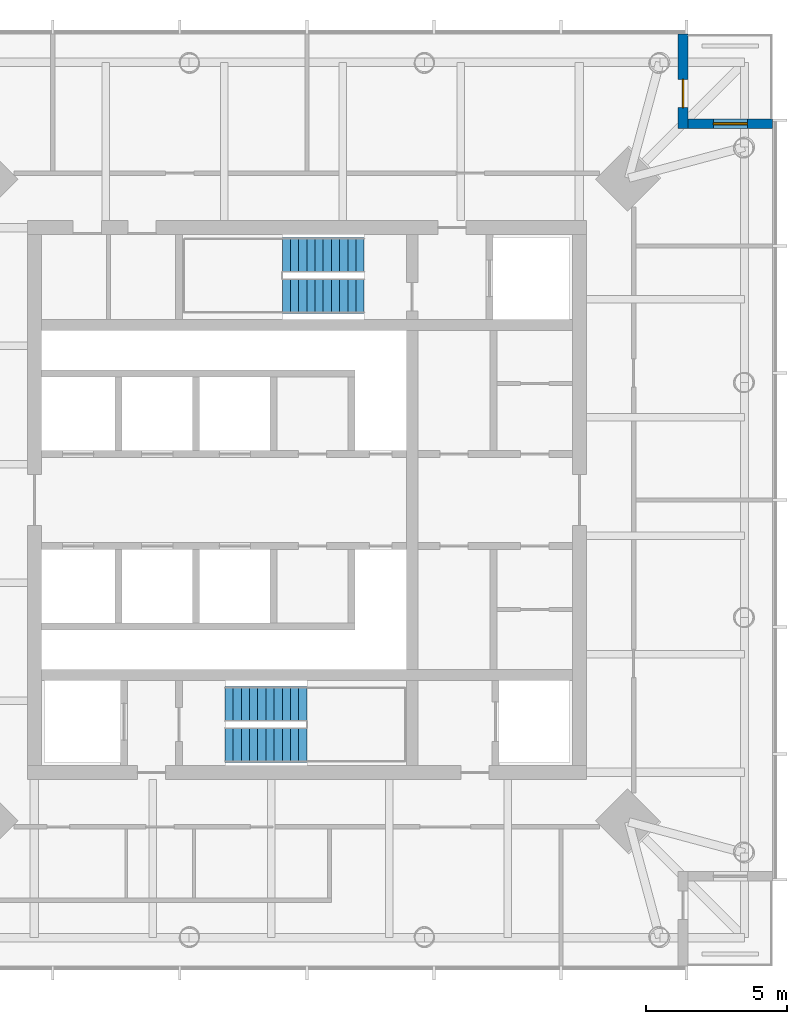
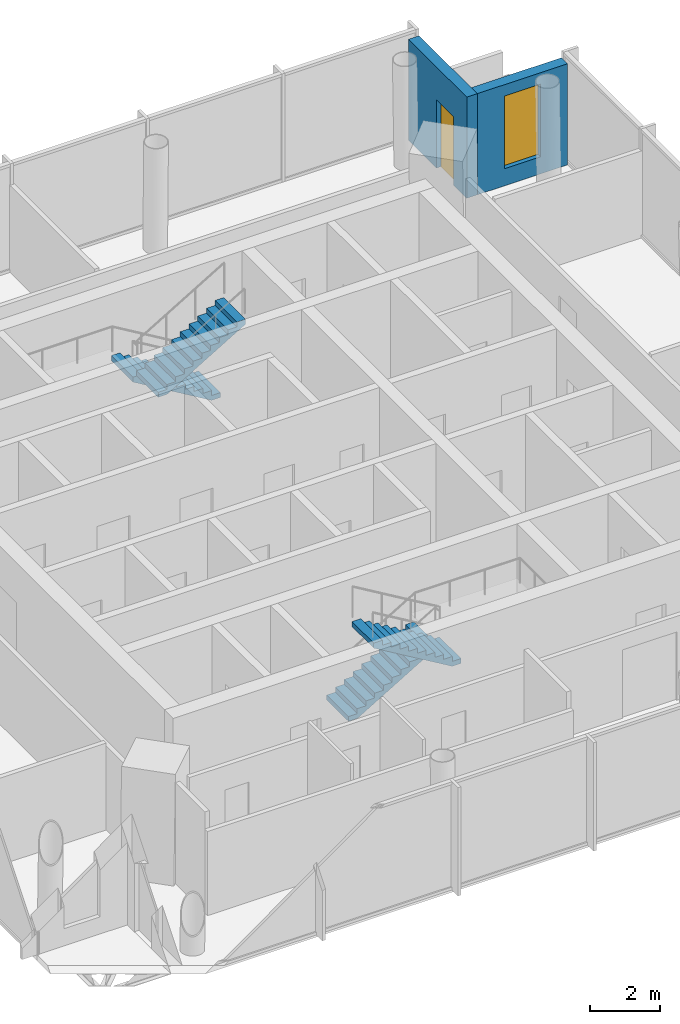
# One storey, part 6 of 7: 4 stair flights, 2 walls, 1 door, 1 window, 2 openings, 2 elements without a shape of their own.
"""IFC4 building model written with IfcOpenShell, lengths in metres."""

from ifc_helpers import new_model, si_unit, direction, frame, frame_2d, origin, place, context, subcontext, project, spatial, polyline, rectangle, outline, extrude, material, layer, layer_set, type_object, element, fill, aggregate, save


model = new_model("IFC4")

# Units and contexts
model_context = context("Model", 3, precision=1e-05, world=origin(), true_north=direction((0.0, 1.0)))
body_context = subcontext(model_context, "Body", "Model", "MODEL_VIEW")
ifc_project = project(units=[si_unit("LENGTHUNIT", "METRE"), si_unit("AREAUNIT", "SQUARE_METRE"), si_unit("VOLUMEUNIT", "CUBIC_METRE"), si_unit("PLANEANGLEUNIT", "RADIAN"), si_unit("MASSUNIT", "GRAM", prefix="KILO")], contexts=[model_context])

# Site, building, storey
site_placement = place(None, origin())
site = spatial("IfcSite", under=ifc_project, at=site_placement, CompositionType="ELEMENT")
building_placement = place(site_placement, origin())
building = spatial("IfcBuilding", under=site, at=building_placement, Name="Ostroluk Exchange", CompositionType="ELEMENT")
storey_placement = place(building_placement, frame((0.0, 0.0, 287.0)))
storey = spatial("IfcBuildingStorey", under=building, at=storey_placement, Name="L74", CompositionType="ELEMENT", Elevation=287.0)

# Wall, opening, door
ifc_material_1 = material(Name="Limestone", Category="masonry")
ifc_layer = layer(ifc_material_1, 0.35009765625)
ifc_layer_set = layer_set([ifc_layer], Name="Limestone facade wall 350")
wall_type = type_object("IfcWallType", Name="Limestone facade wall 350", PredefinedType="SOLIDWALL", material=ifc_layer_set)
wall_1_placement = place(storey_placement, frame((58.324951171875, 62.5, 0.0), z_axis=(0.0, 0.0, 1.0), x_axis=(0.0, -1.0, 0.0)))
wall_1 = element("IfcWall", 1, at=wall_1_placement, inside=storey, type_object=wall_type, Name="Office tower NE corner wall L74 a", PredefinedType="SOLIDWALL", context=body_context, shape_type="SweptSolid", body=[
    extrude(rectangle(XDim=3.35009765625, YDim=0.35009765625, at=frame_2d((1.675048828125, 0.0))), origin(), (0.0, 0.0, 1.0), 3.550048828125),
])
opening_1_placement = place(wall_1_placement, frame((1.60009765625, 0.0, 0.0)))
opening_1 = element("IfcOpeningElement", 2, at=opening_1_placement, cuts=wall_1, Name="Opening D-B1", PredefinedType="OPENING", context=body_context, shape_type="SweptSolid", body=[
    extrude(rectangle(XDim=1.0, YDim=2.39990234375, at=frame_2d((0.5, 1.199951171875))), frame((0.0, 0.18505859375, 0.0), z_axis=(0.0, -1.0, 0.0), x_axis=(1.0, 0.0, 0.0)), (0.0, 0.0, 1.0), 0.3701171875),
])
ifc_material_2 = material(Name="Bronze framed glazed door", Category="aluminium")
door_type = type_object("IfcDoorType", Name="Balcony door 1000 x 2400", OperationType="SINGLE_SWING_LEFT", PredefinedType="DOOR", material=ifc_material_2)
door_placement = place(opening_1_placement, origin())
door = element("IfcDoor", 3, at=door_placement, inside=storey, type_object=door_type, Name="Office tower NE balcony door L74", OperationType="SINGLE_SWING_RIGHT", OverallHeight=2.39990234375, OverallWidth=1.0, PredefinedType="DOOR", context=body_context, shape_type="SweptSolid", body=[
    extrude(rectangle(XDim=1.0, YDim=2.39990234375, at=frame_2d((0.5, 1.199951171875))), frame((0.0, 0.02490234375, 0.0), z_axis=(0.0, -1.0, 0.0), x_axis=(1.0, 0.0, 0.0)), (0.0, 0.0, 1.0), 0.050048828125),
])
fill(opening_1, door)

# Wall, opening, window
wall_2_placement = place(storey_placement, frame((58.5, 59.324951171875, 0.0), z_axis=(0.0, 0.0, 1.0), x_axis=(1.0, 0.0, 0.0)))
wall_2 = element("IfcWall", 4, at=wall_2_placement, inside=storey, type_object=wall_type, Name="Office tower NE corner wall L74 b", PredefinedType="SOLIDWALL", context=body_context, shape_type="SweptSolid", body=[
    extrude(rectangle(XDim=3.0, YDim=0.35009765625, at=frame_2d((1.5, 0.0))), origin(), (0.0, 0.0, 1.0), 3.550048828125),
])
opening_2_placement = place(wall_2_placement, frame((0.89990234375, 0.0, 0.60009765625)))
opening_2 = element("IfcOpeningElement", 5, at=opening_2_placement, cuts=wall_2, Name="Opening WN-L1", PredefinedType="OPENING", context=body_context, shape_type="SweptSolid", body=[
    extrude(rectangle(XDim=1.199951171875, YDim=2.550048828125, at=frame_2d((0.60009765625, 1.27490234375))), frame((0.0, 0.18505859375, 0.0), z_axis=(0.0, -1.0, 0.0), x_axis=(1.0, 0.0, 0.0)), (0.0, 0.0, 1.0), 0.3701171875),
])
ifc_material_3 = material(Name="Laminated clear glass", Category="glass")
window_type = type_object("IfcWindowType", Name="Lancet window 1200 x 2550", PartitioningType="SINGLE_PANEL", PredefinedType="WINDOW", material=ifc_material_3)
window_placement = place(opening_2_placement, origin())
window = element("IfcWindow", 6, at=window_placement, inside=storey, type_object=window_type, Name="Office tower NE lancet window L74", OverallHeight=2.550048828125, OverallWidth=1.199951171875, PartitioningType="SINGLE_PANEL", PredefinedType="WINDOW", context=body_context, shape_type="SweptSolid", body=[
    extrude(rectangle(XDim=1.199951171875, YDim=2.550048828125, at=frame_2d((0.60009765625, 1.27490234375))), frame((0.0, 0.030029296875, 0.0), z_axis=(0.0, -1.0, 0.0), x_axis=(1.0, 0.0, 0.0)), (0.0, 0.0, 1.0), 0.06005859375),
])
fill(opening_2, window)

# Stair, stair flights
ifc_material_4 = material(Name="Concrete C30/37", Category="concrete")
stair_type = type_object("IfcStairType", Name="Exit stair half turn 3800", PredefinedType="HALF_TURN_STAIR", material=ifc_material_4)
stair_1_placement = place(storey_placement, origin())
stair_1 = element("IfcStair", 7, at=stair_1_placement, inside=storey, type_object=stair_type, Name="Stair T1-S1 L74", PredefinedType="HALF_TURN_STAIR")
ifc_material_5 = material(Name="Concrete C30/37", Category="concrete")
stair_flight_type = type_object("IfcStairFlightType", Name="Stair flight 11 risers 172.7 x 290", PredefinedType="STRAIGHT", material=ifc_material_5)
stair_flight_1_placement = place(storey_placement, frame((42.10009765625, 38.77490234375, 0.0), z_axis=(0.0, 0.0, 1.0), x_axis=(1.0, 0.0, 0.0)))
stair_flight_1 = element("IfcStairFlight", 8, at=stair_flight_1_placement, type_object=stair_flight_type, Name="T1-S1 flight 1", NumberOfRisers=11, NumberOfTreads=10, PredefinedType="STRAIGHT", RiserHeight=0.172727273, TreadLength=0.29, context=body_context, shape_type="SweptSolid", body=[
    extrude(outline(polyline([(0.0, 0.0), (0.0, 0.172607421875), (0.2900390625, 0.172607421875), (0.2900390625, 0.345458984375), (0.580078125, 0.345458984375), (0.580078125, 0.51806640625), (0.8701171875, 0.51806640625), (0.8701171875, 0.69091796875), (1.159912109375, 0.69091796875), (1.159912109375, 0.863525390625), (1.449951171875, 0.863525390625), (1.449951171875, 1.036376953125), (1.739990234375, 1.036376953125), (1.739990234375, 1.208984375), (2.030029296875, 1.208984375), (2.030029296875, 1.3818359375), (2.320068359375, 1.3818359375), (2.320068359375, 1.554443359375), (2.610107421875, 1.554443359375), (2.610107421875, 1.727294921875), (2.89990234375, 1.727294921875), (2.89990234375, 1.89990234375), (2.89990234375, 1.552734375), (0.29296875, 0.0), (0.0, 0.0)])), frame((0.0, 0.625, 0.0), z_axis=(0.0, -1.0, 0.0), x_axis=(1.0, 0.0, 0.0)), (0.0, 0.0, 1.0), 1.25),
])
stair_flight_2_placement = place(storey_placement, frame((45.0, 37.324951171875, 1.89990234375), z_axis=(0.0, 0.0, 1.0), x_axis=(-1.0, 0.0, 0.0)))
stair_flight_2 = element("IfcStairFlight", 9, at=stair_flight_2_placement, type_object=stair_flight_type, Name="T1-S1 flight 2", NumberOfRisers=11, NumberOfTreads=10, PredefinedType="STRAIGHT", RiserHeight=0.172727273, TreadLength=0.29, context=body_context, shape_type="SweptSolid", body=[
    extrude(outline(polyline([(0.0, 0.0), (0.0, 0.172607421875), (0.2900390625, 0.172607421875), (0.2900390625, 0.345458984375), (0.580078125, 0.345458984375), (0.580078125, 0.51806640625), (0.8701171875, 0.51806640625), (0.8701171875, 0.69091796875), (1.159912109375, 0.69091796875), (1.159912109375, 0.863525390625), (1.449951171875, 0.863525390625), (1.449951171875, 1.036376953125), (1.739990234375, 1.036376953125), (1.739990234375, 1.208984375), (2.030029296875, 1.208984375), (2.030029296875, 1.3818359375), (2.320068359375, 1.3818359375), (2.320068359375, 1.554443359375), (2.610107421875, 1.554443359375), (2.610107421875, 1.727294921875), (2.89990234375, 1.727294921875), (2.89990234375, 1.89990234375), (2.89990234375, 1.552734375), (0.29296875, 0.0), (0.0, 0.0)])), frame((0.0, 0.625, 0.0), z_axis=(0.0, -1.0, 0.0), x_axis=(1.0, 0.0, 0.0)), (0.0, 0.0, 1.0), 1.25),
])
aggregate(stair_1, [stair_flight_1, stair_flight_2])

stair_2_placement = place(storey_placement, origin())
stair_2 = element("IfcStair", 10, at=stair_2_placement, inside=storey, type_object=stair_type, Name="Stair T1-S2 L74", PredefinedType="HALF_TURN_STAIR")
stair_flight_3_placement = place(storey_placement, frame((47.030029296875, 54.675048828125, 0.0), z_axis=(0.0, 0.0, 1.0), x_axis=(-1.0, 0.0, 0.0)))
stair_flight_3 = element("IfcStairFlight", 11, at=stair_flight_3_placement, type_object=stair_flight_type, Name="T1-S2 flight 1", NumberOfRisers=11, NumberOfTreads=10, PredefinedType="STRAIGHT", RiserHeight=0.172727273, TreadLength=0.29, context=body_context, shape_type="SweptSolid", body=[
    extrude(outline(polyline([(0.0, 0.0), (0.0, 0.172607421875), (0.2900390625, 0.172607421875), (0.2900390625, 0.345458984375), (0.580078125, 0.345458984375), (0.580078125, 0.51806640625), (0.8701171875, 0.51806640625), (0.8701171875, 0.69091796875), (1.159912109375, 0.69091796875), (1.159912109375, 0.863525390625), (1.449951171875, 0.863525390625), (1.449951171875, 1.036376953125), (1.739990234375, 1.036376953125), (1.739990234375, 1.208984375), (2.030029296875, 1.208984375), (2.030029296875, 1.3818359375), (2.320068359375, 1.3818359375), (2.320068359375, 1.554443359375), (2.610107421875, 1.554443359375), (2.610107421875, 1.727294921875), (2.89990234375, 1.727294921875), (2.89990234375, 1.89990234375), (2.89990234375, 1.552734375), (0.29296875, 0.0), (0.0, 0.0)])), frame((0.0, 0.625, 0.0), z_axis=(0.0, -1.0, 0.0), x_axis=(1.0, 0.0, 0.0)), (0.0, 0.0, 1.0), 1.25),
])
stair_flight_4_placement = place(storey_placement, frame((44.1298828125, 53.22509765625, 1.89990234375), z_axis=(0.0, 0.0, 1.0), x_axis=(1.0, 0.0, 0.0)))
stair_flight_4 = element("IfcStairFlight", 12, at=stair_flight_4_placement, type_object=stair_flight_type, Name="T1-S2 flight 2", NumberOfRisers=11, NumberOfTreads=10, PredefinedType="STRAIGHT", RiserHeight=0.172727273, TreadLength=0.29, context=body_context, shape_type="SweptSolid", body=[
    extrude(outline(polyline([(0.0, 0.0), (0.0, 0.172607421875), (0.2900390625, 0.172607421875), (0.2900390625, 0.345458984375), (0.580078125, 0.345458984375), (0.580078125, 0.51806640625), (0.8701171875, 0.51806640625), (0.8701171875, 0.69091796875), (1.159912109375, 0.69091796875), (1.159912109375, 0.863525390625), (1.449951171875, 0.863525390625), (1.449951171875, 1.036376953125), (1.739990234375, 1.036376953125), (1.739990234375, 1.208984375), (2.030029296875, 1.208984375), (2.030029296875, 1.3818359375), (2.320068359375, 1.3818359375), (2.320068359375, 1.554443359375), (2.610107421875, 1.554443359375), (2.610107421875, 1.727294921875), (2.89990234375, 1.727294921875), (2.89990234375, 1.89990234375), (2.89990234375, 1.552734375), (0.29296875, 0.0), (0.0, 0.0)])), frame((0.0, 0.625, 0.0), z_axis=(0.0, -1.0, 0.0), x_axis=(1.0, 0.0, 0.0)), (0.0, 0.0, 1.0), 1.25),
])
aggregate(stair_2, [stair_flight_3, stair_flight_4])

save(model, "model.ifc")
